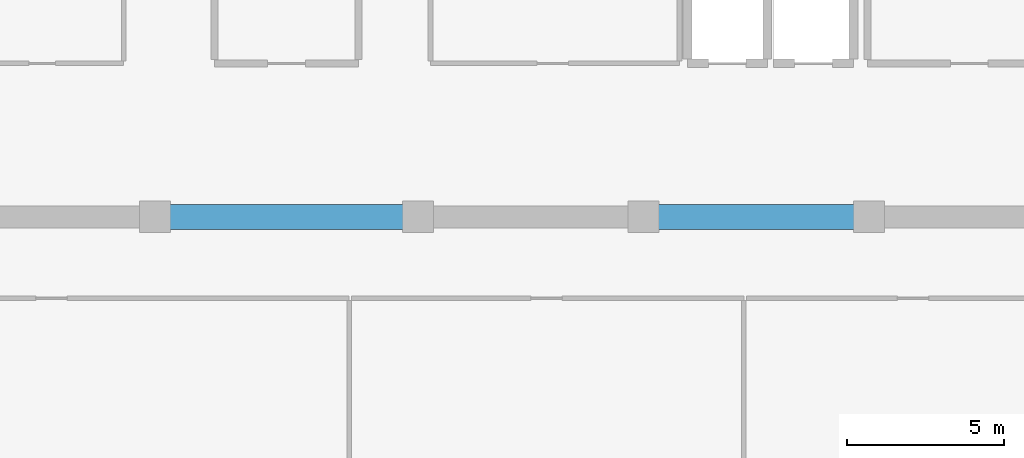
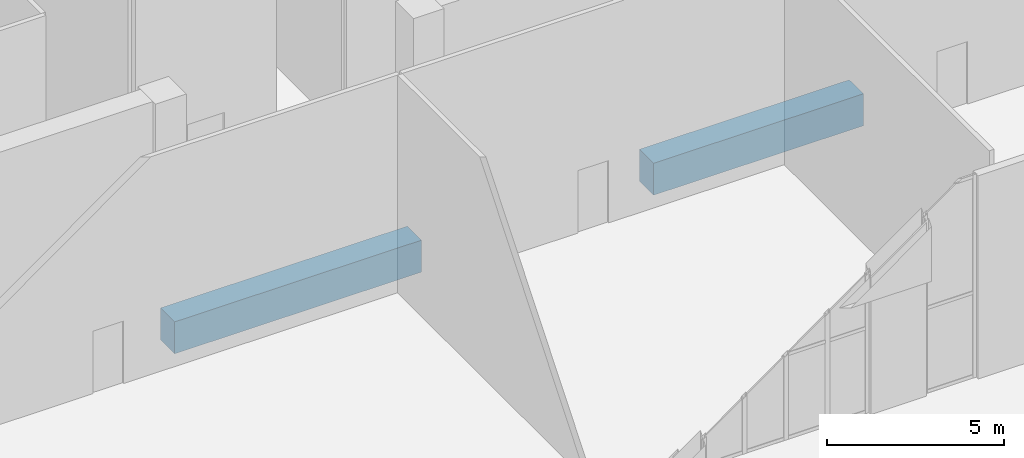
# One storey, part 17 of 23: 2 beams.
"""IFC4 building model written with IfcOpenShell, lengths in metres."""

from ifc_helpers import new_model, si_unit, direction, frame, origin, origin_2d, place, context, subcontext, project, spatial, rectangle, extrude, material, material_profile, profile_set, type_object, element, save


model = new_model("IFC4")

# Units and contexts
model_context = context("Model", 3, precision=1e-05, world=origin(), true_north=direction((0.0, 1.0)))
body_context = subcontext(model_context, "Body", "Model", "MODEL_VIEW")
ifc_project = project(units=[si_unit("LENGTHUNIT", "METRE"), si_unit("AREAUNIT", "SQUARE_METRE"), si_unit("VOLUMEUNIT", "CUBIC_METRE"), si_unit("PLANEANGLEUNIT", "RADIAN"), si_unit("MASSUNIT", "GRAM", prefix="KILO")], contexts=[model_context])

# Site, building, storey
site_placement = place(None, origin())
site = spatial("IfcSite", under=ifc_project, at=site_placement, CompositionType="ELEMENT")
building_placement = place(site_placement, origin())
building = spatial("IfcBuilding", under=site, at=building_placement, Name="Kaelvorn Grand Hotel", CompositionType="ELEMENT")
storey_placement = place(building_placement, frame((0.0, 0.0, 310.699951171875)))
storey = spatial("IfcBuildingStorey", under=building, at=storey_placement, Name="L75", CompositionType="ELEMENT", Elevation=310.699951171875)

# Beams
ifc_material = material(Name="Concrete C60/75", Category="concrete")
ifc_material_profile = material_profile(ifc_material, rectangle(XDim=0.800048828125, YDim=1.10009765625, at=origin_2d()), Name="RC LINTEL 800x1100")
ifc_profile_set = profile_set([ifc_material_profile], Name="Concrete C60/75")
beam_type = type_object("IfcBeamType", Name="BM-LIN-800x1100-C60", PredefinedType="LINTEL", material=ifc_profile_set)
beam_1_placement = place(storey_placement, frame((37.97998046875, 29.39990234375, -0.849853515625), z_axis=(1.0, 0.0, 0.0), x_axis=(0.0, 1.0, 0.0)))
element("IfcBeam", 1, at=beam_1_placement, inside=storey, type_object=beam_type, Name="L75 Rear-Core Coupling Lintel Beam CB1-02", PredefinedType="LINTEL", context=body_context, shape_type="SweptSolid", body=[
    extrude(rectangle(XDim=0.800048828125, YDim=1.10009765625, at=origin_2d()), origin(), (0.0, 0.0, 1.0), 8.0400390625),
])
beam_2_placement = place(storey_placement, frame((53.580078125, 29.39990234375, -0.849853515625), z_axis=(1.0, 0.0, 0.0), x_axis=(0.0, 1.0, 0.0)))
element("IfcBeam", 2, at=beam_2_placement, inside=storey, type_object=beam_type, Name="L75 Rear-Core Coupling Lintel Beam CB1-03", PredefinedType="LINTEL", context=body_context, shape_type="SweptSolid", body=[
    extrude(rectangle(XDim=0.800048828125, YDim=1.10009765625, at=origin_2d()), origin(), (0.0, 0.0, 1.0), 6.83984375),
])

save(model, "model.ifc")
